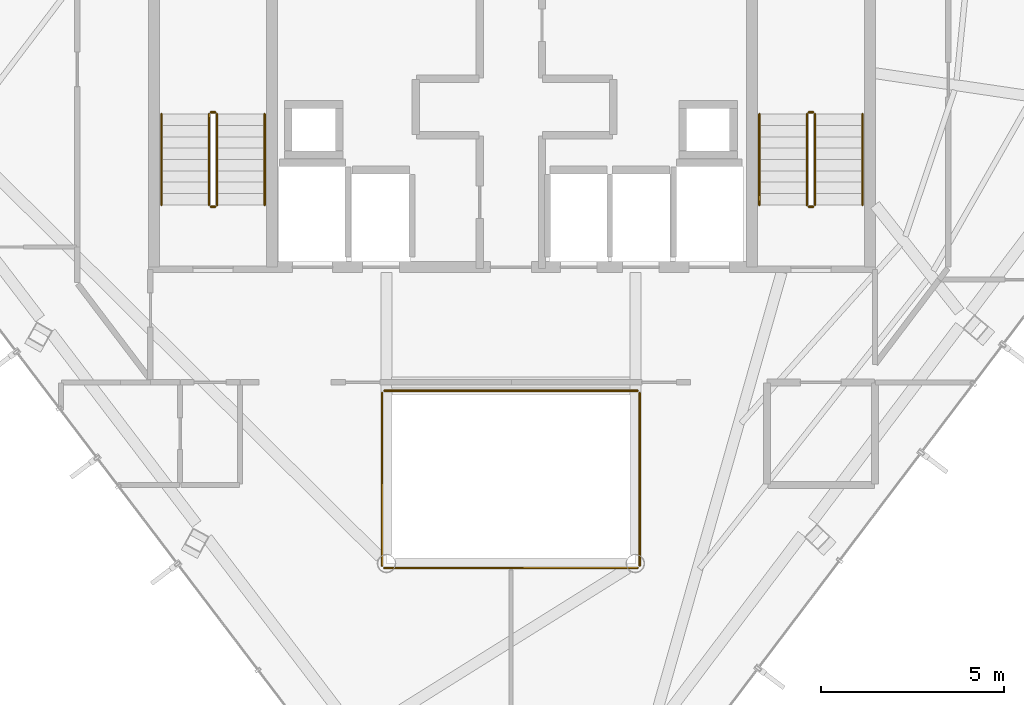
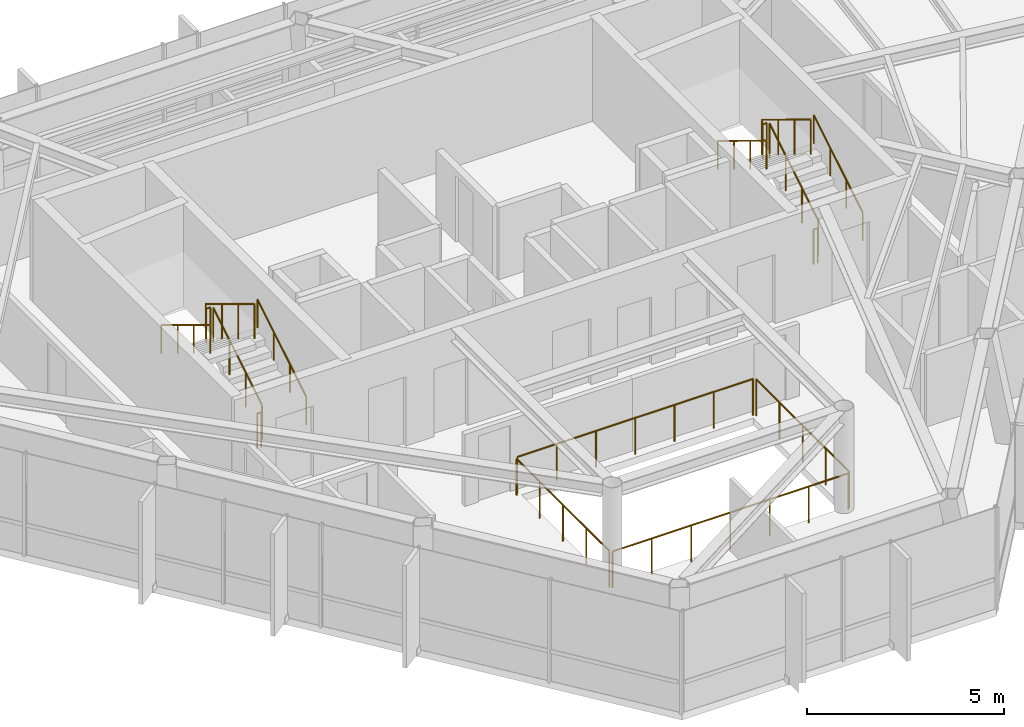
# One storey, part 25 of 25: 16 railings.
"""IFC4 building model written with IfcOpenShell, lengths in metres."""

from ifc_helpers import new_model, si_unit, direction, frame, origin, origin_2d, place, context, subcontext, project, spatial, circle, extrude, material, type_object, element, save


model = new_model("IFC4")

# Units and contexts
model_context = context("Model", 3, precision=1e-05, world=origin(), true_north=direction((0.0, 1.0)))
body_context = subcontext(model_context, "Body", "Model", "MODEL_VIEW")
ifc_project = project(units=[si_unit("LENGTHUNIT", "METRE"), si_unit("AREAUNIT", "SQUARE_METRE"), si_unit("VOLUMEUNIT", "CUBIC_METRE"), si_unit("PLANEANGLEUNIT", "RADIAN"), si_unit("MASSUNIT", "GRAM", prefix="KILO")], contexts=[model_context])

# Site, building, storey
site_placement = place(None, origin())
site = spatial("IfcSite", under=ifc_project, at=site_placement, CompositionType="ELEMENT")
building_placement = place(site_placement, origin())
building = spatial("IfcBuilding", under=site, at=building_placement, Name="Zarrinselat Tower", CompositionType="ELEMENT")
storey_placement = place(building_placement, frame((0.0, 0.0, 275.39990234375)))
storey = spatial("IfcBuildingStorey", under=building, at=storey_placement, Name="L70", CompositionType="ELEMENT", Elevation=275.39990234375)

# Railings
ifc_material_1 = material(Name="Double Low-E Laminated Solar Glass", Category="glass")
railing_type_1 = type_object("IfcRailingType", Name="RLG-ATRIUM-BAL", PredefinedType="BALUSTRADE", material=ifc_material_1)
railing_1_placement = place(storey_placement, frame((34.93994140625, 25.080078125, 0.0)))
element("IfcRailing", 1, at=railing_1_placement, inside=storey, type_object=railing_type_1, Name="L70 Atrium Void Glass Balustrade S", PredefinedType="BALUSTRADE", context=body_context, shape_type="SweptSolid", body=[
    extrude(circle(Radius=0.02392578125, at=origin_2d()), frame((0.0, 0.0, 1.1259765625), z_axis=(1.0, 0.0, 0.0), x_axis=(0.0, 1.0, 0.0)), (0.0, 0.0, 1.0), 6.920166015625),
    extrude(circle(Radius=0.02099609375, at=origin_2d()), origin(), (0.0, 0.0, 1.0), 1.099853515625),
    extrude(circle(Radius=0.02099609375, at=origin_2d()), frame((1.1533203125, 0.0, 0.0)), (0.0, 0.0, 1.0), 1.099853515625),
    extrude(circle(Radius=0.02099609375, at=origin_2d()), frame((2.306640625, 0.0, 0.0)), (0.0, 0.0, 1.0), 1.099853515625),
    extrude(circle(Radius=0.02099609375, at=origin_2d()), frame((3.4599609375, 0.0, 0.0)), (0.0, 0.0, 1.0), 1.099853515625),
    extrude(circle(Radius=0.02099609375, at=origin_2d()), frame((4.613525390625, 0.0, 0.0)), (0.0, 0.0, 1.0), 1.099853515625),
    extrude(circle(Radius=0.02099609375, at=origin_2d()), frame((5.766845703125, 0.0, 0.0)), (0.0, 0.0, 1.0), 1.099853515625),
    extrude(circle(Radius=0.02099609375, at=origin_2d()), frame((6.920166015625, 0.0, 0.0)), (0.0, 0.0, 1.0), 1.099853515625),
])
railing_2_placement = place(storey_placement, frame((41.919921875, 25.139892578125, 0.0)))
element("IfcRailing", 2, at=railing_2_placement, inside=storey, type_object=railing_type_1, Name="L70 Atrium Void Glass Balustrade E", PredefinedType="BALUSTRADE", context=body_context, shape_type="SweptSolid", body=[
    extrude(circle(Radius=0.02392578125, at=origin_2d()), frame((0.0, 0.0, 1.1259765625), z_axis=(0.0, 1.0, 0.0), x_axis=(-1.0, 0.0, 0.0)), (0.0, 0.0, 1.0), 4.72021484375),
    extrude(circle(Radius=0.02099609375, at=origin_2d()), origin(), (0.0, 0.0, 1.0), 1.099853515625),
    extrude(circle(Radius=0.02099609375, at=origin_2d()), frame((0.0, 1.18017578125, 0.0)), (0.0, 0.0, 1.0), 1.099853515625),
    extrude(circle(Radius=0.02099609375, at=origin_2d()), frame((0.0, 2.360107421875, 0.0)), (0.0, 0.0, 1.0), 1.099853515625),
    extrude(circle(Radius=0.02099609375, at=origin_2d()), frame((0.0, 3.5400390625, 0.0)), (0.0, 0.0, 1.0), 1.099853515625),
    extrude(circle(Radius=0.02099609375, at=origin_2d()), frame((0.0, 4.72021484375, 0.0)), (0.0, 0.0, 1.0), 1.099853515625),
])
railing_3_placement = place(storey_placement, frame((41.860107421875, 29.919921875, 0.0)))
element("IfcRailing", 3, at=railing_3_placement, inside=storey, type_object=railing_type_1, Name="L70 Atrium Void Glass Balustrade N", PredefinedType="BALUSTRADE", context=body_context, shape_type="SweptSolid", body=[
    extrude(circle(Radius=0.02392578125, at=origin_2d()), frame((0.0, 0.0, 1.1259765625), z_axis=(-1.0, 0.0, 0.0), x_axis=(0.0, -1.0, 0.0)), (0.0, 0.0, 1.0), 6.920166015625),
    extrude(circle(Radius=0.02099609375, at=origin_2d()), origin(), (0.0, 0.0, 1.0), 1.099853515625),
    extrude(circle(Radius=0.02099609375, at=origin_2d()), frame((-1.1533203125, 0.0, 0.0)), (0.0, 0.0, 1.0), 1.099853515625),
    extrude(circle(Radius=0.02099609375, at=origin_2d()), frame((-2.306640625, 0.0, 0.0)), (0.0, 0.0, 1.0), 1.099853515625),
    extrude(circle(Radius=0.02099609375, at=origin_2d()), frame((-3.4599609375, 0.0, 0.0)), (0.0, 0.0, 1.0), 1.099853515625),
    extrude(circle(Radius=0.02099609375, at=origin_2d()), frame((-4.613525390625, 0.0, 0.0)), (0.0, 0.0, 1.0), 1.099853515625),
    extrude(circle(Radius=0.02099609375, at=origin_2d()), frame((-5.766845703125, 0.0, 0.0)), (0.0, 0.0, 1.0), 1.099853515625),
    extrude(circle(Radius=0.02099609375, at=origin_2d()), frame((-6.920166015625, 0.0, 0.0)), (0.0, 0.0, 1.0), 1.099853515625),
])
railing_4_placement = place(storey_placement, frame((34.8798828125, 29.860107421875, 0.0)))
element("IfcRailing", 4, at=railing_4_placement, inside=storey, type_object=railing_type_1, Name="L70 Atrium Void Glass Balustrade W", PredefinedType="BALUSTRADE", context=body_context, shape_type="SweptSolid", body=[
    extrude(circle(Radius=0.02392578125, at=origin_2d()), frame((0.0, 0.0, 1.1259765625), z_axis=(0.0, -1.0, 0.0), x_axis=(1.0, 0.0, 0.0)), (0.0, 0.0, 1.0), 4.72021484375),
    extrude(circle(Radius=0.02099609375, at=origin_2d()), origin(), (0.0, 0.0, 1.0), 1.099853515625),
    extrude(circle(Radius=0.02099609375, at=origin_2d()), frame((0.0, -1.18017578125, 0.0)), (0.0, 0.0, 1.0), 1.099853515625),
    extrude(circle(Radius=0.02099609375, at=origin_2d()), frame((0.0, -2.360107421875, 0.0)), (0.0, 0.0, 1.0), 1.099853515625),
    extrude(circle(Radius=0.02099609375, at=origin_2d()), frame((0.0, -3.5400390625, 0.0)), (0.0, 0.0, 1.0), 1.099853515625),
    extrude(circle(Radius=0.02099609375, at=origin_2d()), frame((0.0, -4.72021484375, 0.0)), (0.0, 0.0, 1.0), 1.099853515625),
])
ifc_material_2 = material(Name="Steel S355J2", Category="steel")
railing_type_2 = type_object("IfcRailingType", Name="RLG-STAIR-GUARD", PredefinedType="GUARDRAIL", material=ifc_material_2)
railing_5_placement = place(storey_placement, frame((30.3701171875, 35.0, 0.18896484375)))
element("IfcRailing", 5, at=railing_5_placement, inside=storey, type_object=railing_type_2, Name="L70 ST-1 stair guard 1", PredefinedType="GUARDRAIL", context=body_context, shape_type="SweptSolid", body=[
    extrude(circle(Radius=0.02392578125, at=origin_2d()), frame((0.0, 0.0, 1.076171875), z_axis=(0.0, 0.853941963558, 0.520368256982), x_axis=(-1.0, 0.0, 0.0)), (0.0, 0.0, 1.0), 2.904052734375),
    extrude(circle(Radius=0.02099609375, at=origin_2d()), origin(), (0.0, 0.0, 1.0), 1.050048828125),
    extrude(circle(Radius=0.02099609375, at=origin_2d()), frame((0.0, 0.82666015625, 0.503662109375)), (0.0, 0.0, 1.0), 1.050048828125),
    extrude(circle(Radius=0.02099609375, at=origin_2d()), frame((0.0, 1.6533203125, 1.007568359375)), (0.0, 0.0, 1.0), 1.050048828125),
    extrude(circle(Radius=0.02099609375, at=origin_2d()), frame((0.0, 2.47998046875, 1.51123046875)), (0.0, 0.0, 1.0), 1.050048828125),
])
railing_6_placement = place(storey_placement, frame((30.320068359375, 37.530029296875, 1.7001953125)))
element("IfcRailing", 6, at=railing_6_placement, inside=storey, type_object=railing_type_2, Name="L70 ST-1 stair guard 2", PredefinedType="GUARDRAIL", context=body_context, shape_type="SweptSolid", body=[
    extrude(circle(Radius=0.02392578125, at=origin_2d()), frame((0.0, 0.0, 1.076171875), z_axis=(-1.0, 0.0, 0.0), x_axis=(0.0, -1.0, 0.0)), (0.0, 0.0, 1.0), 0.1201171875),
    extrude(circle(Radius=0.02099609375, at=origin_2d()), origin(), (0.0, 0.0, 1.0), 1.050048828125),
    extrude(circle(Radius=0.02099609375, at=origin_2d()), frame((-0.1201171875, 0.0, 0.0)), (0.0, 0.0, 1.0), 1.050048828125),
])
railing_7_placement = place(storey_placement, frame((30.14990234375, 37.47998046875, 1.888916015625)))
element("IfcRailing", 7, at=railing_7_placement, inside=storey, type_object=railing_type_2, Name="L70 ST-1 stair guard 3", PredefinedType="GUARDRAIL", context=body_context, shape_type="SweptSolid", body=[
    extrude(circle(Radius=0.02392578125, at=origin_2d()), frame((0.0, 0.0, 1.076171875), z_axis=(0.0, -0.853941963558, 0.520368256982), x_axis=(1.0, 0.0, 0.0)), (0.0, 0.0, 1.0), 2.904052734375),
    extrude(circle(Radius=0.02099609375, at=origin_2d()), origin(), (0.0, 0.0, 1.0), 1.050048828125),
    extrude(circle(Radius=0.02099609375, at=origin_2d()), frame((0.0, -0.82666015625, 0.503662109375)), (0.0, 0.0, 1.0), 1.050048828125),
    extrude(circle(Radius=0.02099609375, at=origin_2d()), frame((0.0, -1.6533203125, 1.007568359375)), (0.0, 0.0, 1.0), 1.050048828125),
    extrude(circle(Radius=0.02099609375, at=origin_2d()), frame((0.0, -2.47998046875, 1.51123046875)), (0.0, 0.0, 1.0), 1.050048828125),
])
railing_8_placement = place(storey_placement, frame((30.320068359375, 34.949951171875, 0.0)))
element("IfcRailing", 8, at=railing_8_placement, inside=storey, type_object=railing_type_2, Name="L70 ST-1 stair guard 4", PredefinedType="GUARDRAIL", context=body_context, shape_type="SweptSolid", body=[
    extrude(circle(Radius=0.02392578125, at=origin_2d()), frame((0.0, 0.0, 1.076171875), z_axis=(-1.0, 0.0, 0.0), x_axis=(0.0, -1.0, 0.0)), (0.0, 0.0, 1.0), 0.1201171875),
    extrude(circle(Radius=0.02099609375, at=origin_2d()), origin(), (0.0, 0.0, 1.0), 1.050048828125),
    extrude(circle(Radius=0.02099609375, at=origin_2d()), frame((-0.1201171875, 0.0, 0.0)), (0.0, 0.0, 1.0), 1.050048828125),
])
railing_9_placement = place(storey_placement, frame((46.7099609375, 35.0, 0.18896484375)))
element("IfcRailing", 9, at=railing_9_placement, inside=storey, type_object=railing_type_2, Name="L70 ST-2 stair guard 1", PredefinedType="GUARDRAIL", context=body_context, shape_type="SweptSolid", body=[
    extrude(circle(Radius=0.02392578125, at=origin_2d()), frame((0.0, 0.0, 1.076171875), z_axis=(0.0, 0.853941963558, 0.520368256982), x_axis=(-1.0, 0.0, 0.0)), (0.0, 0.0, 1.0), 2.904052734375),
    extrude(circle(Radius=0.02099609375, at=origin_2d()), origin(), (0.0, 0.0, 1.0), 1.050048828125),
    extrude(circle(Radius=0.02099609375, at=origin_2d()), frame((0.0, 0.82666015625, 0.503662109375)), (0.0, 0.0, 1.0), 1.050048828125),
    extrude(circle(Radius=0.02099609375, at=origin_2d()), frame((0.0, 1.6533203125, 1.007568359375)), (0.0, 0.0, 1.0), 1.050048828125),
    extrude(circle(Radius=0.02099609375, at=origin_2d()), frame((0.0, 2.47998046875, 1.51123046875)), (0.0, 0.0, 1.0), 1.050048828125),
])
railing_10_placement = place(storey_placement, frame((46.659912109375, 37.530029296875, 1.7001953125)))
element("IfcRailing", 10, at=railing_10_placement, inside=storey, type_object=railing_type_2, Name="L70 ST-2 stair guard 2", PredefinedType="GUARDRAIL", context=body_context, shape_type="SweptSolid", body=[
    extrude(circle(Radius=0.02392578125, at=origin_2d()), frame((0.0, 0.0, 1.076171875), z_axis=(-1.0, 0.0, 0.0), x_axis=(0.0, -1.0, 0.0)), (0.0, 0.0, 1.0), 0.119873046875),
    extrude(circle(Radius=0.02099609375, at=origin_2d()), origin(), (0.0, 0.0, 1.0), 1.050048828125),
    extrude(circle(Radius=0.02099609375, at=origin_2d()), frame((-0.119873046875, 0.0, 0.0)), (0.0, 0.0, 1.0), 1.050048828125),
])
railing_11_placement = place(storey_placement, frame((46.489990234375, 37.47998046875, 1.888916015625)))
element("IfcRailing", 11, at=railing_11_placement, inside=storey, type_object=railing_type_2, Name="L70 ST-2 stair guard 3", PredefinedType="GUARDRAIL", context=body_context, shape_type="SweptSolid", body=[
    extrude(circle(Radius=0.02392578125, at=origin_2d()), frame((0.0, 0.0, 1.076171875), z_axis=(0.0, -0.853941963558, 0.520368256982), x_axis=(1.0, 0.0, 0.0)), (0.0, 0.0, 1.0), 2.904052734375),
    extrude(circle(Radius=0.02099609375, at=origin_2d()), origin(), (0.0, 0.0, 1.0), 1.050048828125),
    extrude(circle(Radius=0.02099609375, at=origin_2d()), frame((0.0, -0.82666015625, 0.503662109375)), (0.0, 0.0, 1.0), 1.050048828125),
    extrude(circle(Radius=0.02099609375, at=origin_2d()), frame((0.0, -1.6533203125, 1.007568359375)), (0.0, 0.0, 1.0), 1.050048828125),
    extrude(circle(Radius=0.02099609375, at=origin_2d()), frame((0.0, -2.47998046875, 1.51123046875)), (0.0, 0.0, 1.0), 1.050048828125),
])
railing_12_placement = place(storey_placement, frame((46.659912109375, 34.949951171875, 0.0)))
element("IfcRailing", 12, at=railing_12_placement, inside=storey, type_object=railing_type_2, Name="L70 ST-2 stair guard 4", PredefinedType="GUARDRAIL", context=body_context, shape_type="SweptSolid", body=[
    extrude(circle(Radius=0.02392578125, at=origin_2d()), frame((0.0, 0.0, 1.076171875), z_axis=(-1.0, 0.0, 0.0), x_axis=(0.0, -1.0, 0.0)), (0.0, 0.0, 1.0), 0.119873046875),
    extrude(circle(Radius=0.02099609375, at=origin_2d()), origin(), (0.0, 0.0, 1.0), 1.050048828125),
    extrude(circle(Radius=0.02099609375, at=origin_2d()), frame((-0.119873046875, 0.0, 0.0)), (0.0, 0.0, 1.0), 1.050048828125),
])
ifc_material_3 = material(Name="Steel S355J2", Category="steel")
railing_type_3 = type_object("IfcRailingType", Name="RLG-STAIR-HAND", PredefinedType="HANDRAIL", material=ifc_material_3)
railing_13_placement = place(storey_placement, frame((31.669921875, 35.0, 0.18896484375)))
element("IfcRailing", 13, at=railing_13_placement, inside=storey, type_object=railing_type_3, Name="L70 ST-1 stair handrail 1", PredefinedType="HANDRAIL", context=body_context, shape_type="SweptSolid", body=[
    extrude(circle(Radius=0.02392578125, at=origin_2d()), frame((0.0, 0.0, 0.8759765625), z_axis=(0.0, 0.853941963558, 0.520368256982), x_axis=(-1.0, 0.0, 0.0)), (0.0, 0.0, 1.0), 2.904052734375),
    extrude(circle(Radius=0.02099609375, at=origin_2d()), origin(), (0.0, 0.0, 1.0), 0.849853515625),
    extrude(circle(Radius=0.02099609375, at=origin_2d()), frame((0.0, 0.82666015625, 0.503662109375)), (0.0, 0.0, 1.0), 0.849853515625),
    extrude(circle(Radius=0.02099609375, at=origin_2d()), frame((0.0, 1.6533203125, 1.007568359375)), (0.0, 0.0, 1.0), 0.849853515625),
    extrude(circle(Radius=0.02099609375, at=origin_2d()), frame((0.0, 2.47998046875, 1.51123046875)), (0.0, 0.0, 1.0), 0.849853515625),
])
railing_14_placement = place(storey_placement, frame((28.85009765625, 37.47998046875, 1.888916015625)))
element("IfcRailing", 14, at=railing_14_placement, inside=storey, type_object=railing_type_3, Name="L70 ST-1 stair handrail 2", PredefinedType="HANDRAIL", context=body_context, shape_type="SweptSolid", body=[
    extrude(circle(Radius=0.02392578125, at=origin_2d()), frame((0.0, 0.0, 0.8759765625), z_axis=(0.0, -0.853941963558, 0.520368256982), x_axis=(1.0, 0.0, 0.0)), (0.0, 0.0, 1.0), 2.904052734375),
    extrude(circle(Radius=0.02099609375, at=origin_2d()), origin(), (0.0, 0.0, 1.0), 0.849853515625),
    extrude(circle(Radius=0.02099609375, at=origin_2d()), frame((0.0, -0.82666015625, 0.503662109375)), (0.0, 0.0, 1.0), 0.849853515625),
    extrude(circle(Radius=0.02099609375, at=origin_2d()), frame((0.0, -1.6533203125, 1.007568359375)), (0.0, 0.0, 1.0), 0.849853515625),
    extrude(circle(Radius=0.02099609375, at=origin_2d()), frame((0.0, -2.47998046875, 1.51123046875)), (0.0, 0.0, 1.0), 0.849853515625),
])
railing_15_placement = place(storey_placement, frame((48.010009765625, 35.0, 0.18896484375)))
element("IfcRailing", 15, at=railing_15_placement, inside=storey, type_object=railing_type_3, Name="L70 ST-2 stair handrail 1", PredefinedType="HANDRAIL", context=body_context, shape_type="SweptSolid", body=[
    extrude(circle(Radius=0.02392578125, at=origin_2d()), frame((0.0, 0.0, 0.8759765625), z_axis=(0.0, 0.853941963558, 0.520368256982), x_axis=(-1.0, 0.0, 0.0)), (0.0, 0.0, 1.0), 2.904052734375),
    extrude(circle(Radius=0.02099609375, at=origin_2d()), origin(), (0.0, 0.0, 1.0), 0.849853515625),
    extrude(circle(Radius=0.02099609375, at=origin_2d()), frame((0.0, 0.82666015625, 0.503662109375)), (0.0, 0.0, 1.0), 0.849853515625),
    extrude(circle(Radius=0.02099609375, at=origin_2d()), frame((0.0, 1.6533203125, 1.007568359375)), (0.0, 0.0, 1.0), 0.849853515625),
    extrude(circle(Radius=0.02099609375, at=origin_2d()), frame((0.0, 2.47998046875, 1.51123046875)), (0.0, 0.0, 1.0), 0.849853515625),
])
railing_16_placement = place(storey_placement, frame((45.18994140625, 37.47998046875, 1.888916015625)))
element("IfcRailing", 16, at=railing_16_placement, inside=storey, type_object=railing_type_3, Name="L70 ST-2 stair handrail 2", PredefinedType="HANDRAIL", context=body_context, shape_type="SweptSolid", body=[
    extrude(circle(Radius=0.02392578125, at=origin_2d()), frame((0.0, 0.0, 0.8759765625), z_axis=(0.0, -0.853941963558, 0.520368256982), x_axis=(1.0, 0.0, 0.0)), (0.0, 0.0, 1.0), 2.904052734375),
    extrude(circle(Radius=0.02099609375, at=origin_2d()), origin(), (0.0, 0.0, 1.0), 0.849853515625),
    extrude(circle(Radius=0.02099609375, at=origin_2d()), frame((0.0, -0.82666015625, 0.503662109375)), (0.0, 0.0, 1.0), 0.849853515625),
    extrude(circle(Radius=0.02099609375, at=origin_2d()), frame((0.0, -1.6533203125, 1.007568359375)), (0.0, 0.0, 1.0), 0.849853515625),
    extrude(circle(Radius=0.02099609375, at=origin_2d()), frame((0.0, -2.47998046875, 1.51123046875)), (0.0, 0.0, 1.0), 0.849853515625),
])

save(model, "model.ifc")
